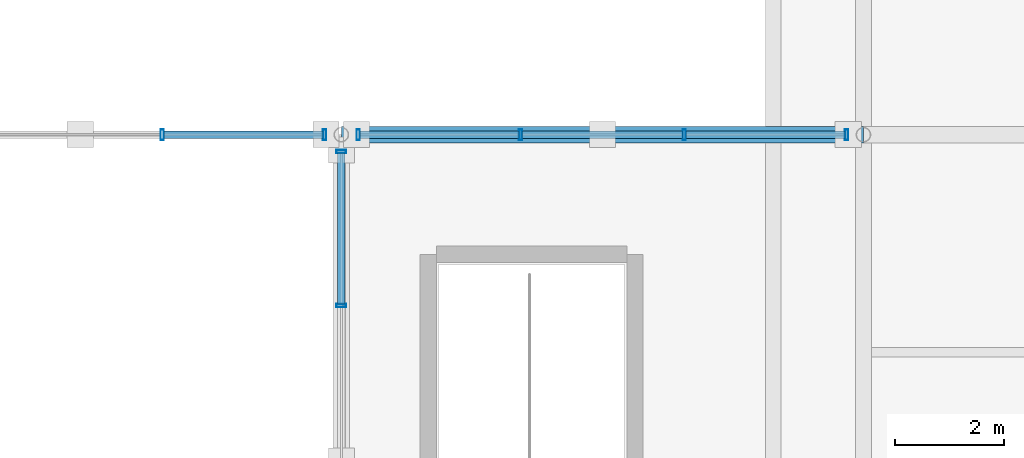
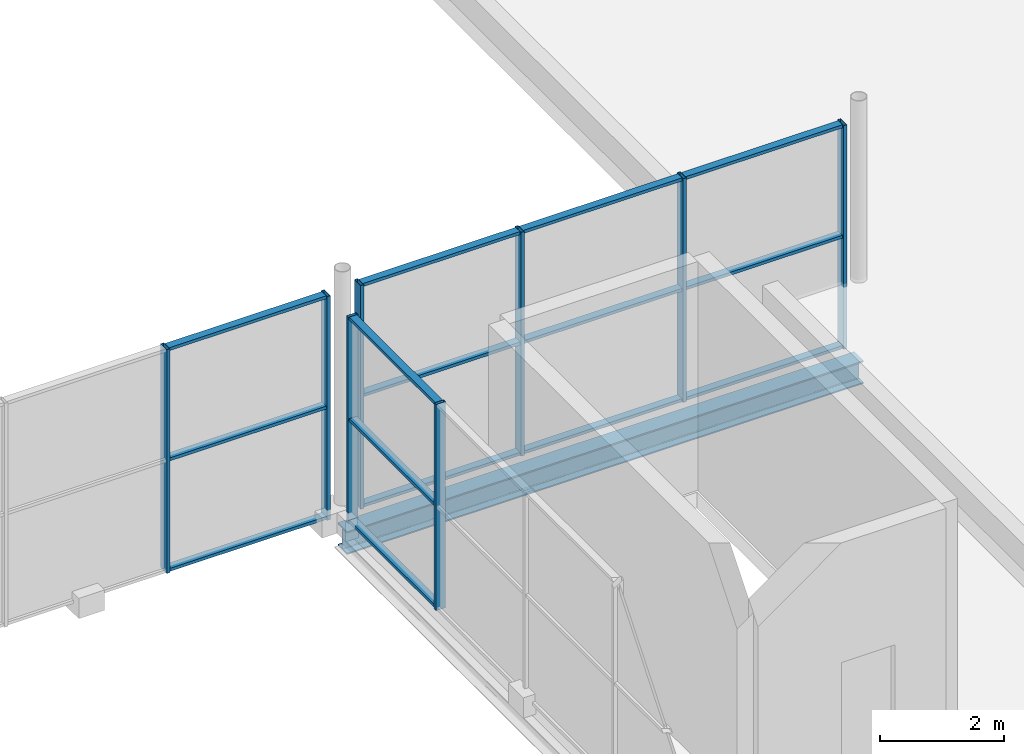
# One storey, part 95 of 159: 23 members, 1 beam, 3 elements without a shape of their own.
"""IFC4 building model written with IfcOpenShell, lengths in metres."""

from ifc_helpers import new_model, si_unit, direction, frame, origin, origin_2d, place, context, subcontext, project, spatial, hollow_rectangle, i_section, extrude, material, material_profile, profile_set, type_object, element, aggregate, save


model = new_model("IFC4")

# Units and contexts
model_context = context("Model", 3, precision=1e-05, world=origin(), true_north=direction((0.0, 1.0)))
body_context = subcontext(model_context, "Body", "Model", "MODEL_VIEW")
ifc_project = project(units=[si_unit("LENGTHUNIT", "METRE"), si_unit("AREAUNIT", "SQUARE_METRE"), si_unit("VOLUMEUNIT", "CUBIC_METRE"), si_unit("PLANEANGLEUNIT", "RADIAN"), si_unit("MASSUNIT", "GRAM", prefix="KILO")], contexts=[model_context])

# Site, building, storey
site_placement = place(None, origin())
site = spatial("IfcSite", under=ifc_project, at=site_placement, CompositionType="ELEMENT")
building_placement = place(site_placement, origin())
building = spatial("IfcBuilding", under=site, at=building_placement, Name="Merenkruunu Market Hall", CompositionType="ELEMENT")
storey_placement = place(building_placement, frame((0.0, 0.0, 5.39990234375)))
storey = spatial("IfcBuildingStorey", under=building, at=storey_placement, Name="L01", CompositionType="ELEMENT", Elevation=5.39990234375)

# Curtain wall, members
ifc_material_1 = material(Name="Powder-coated aluminium", Category="aluminium")
curtain_wall_type_1 = type_object("IfcCurtainWallType", Name="Glazed Curtain Wall CW16", PredefinedType="USERDEFINED", material=ifc_material_1)
curtain_wall_1_placement = place(storey_placement, origin())
curtain_wall_1 = element("IfcCurtainWall", 1, at=curtain_wall_1_placement, inside=storey, type_object=curtain_wall_type_1, Name="CW-L01-CWM02-179", ObjectType="GLAZED_FACADE", PredefinedType="USERDEFINED")
ifc_material_profile_1 = material_profile(ifc_material_1, hollow_rectangle(XDim=0.06005859375, YDim=0.179931640625, WallThickness=0.00390625, at=origin_2d()), Name="ALU 60x180x4")
ifc_profile_set_1 = profile_set([ifc_material_profile_1], Name="Powder-coated aluminium")
member_type_1 = type_object("IfcMemberType", Name="Curtain Wall Mullion CWM02", PredefinedType="MULLION", material=ifc_profile_set_1)
member_1_placement = place(storey_placement, frame((67.199951171875, 96.4599609375, 0.0), z_axis=(0.0, 0.0, 1.0), x_axis=(0.0, 1.0, 0.0)))
member_1 = element("IfcMember", 2, at=member_1_placement, type_object=member_type_1, Name="CW16 mullion 4", PredefinedType="MULLION", context=body_context, shape_type="SweptSolid", body=[
    extrude(hollow_rectangle(XDim=0.06005859375, YDim=0.179931640625, WallThickness=0.00390625, at=origin_2d()), origin(), (0.0, 0.0, 1.0), 4.050048828125),
])
member_2_placement = place(storey_placement, frame((67.199951171875, 99.2900390625, 0.0), z_axis=(0.0, 0.0, 1.0), x_axis=(0.0, 1.0, 0.0)))
member_2 = element("IfcMember", 3, at=member_2_placement, type_object=member_type_1, Name="CW16 mullion 5", PredefinedType="MULLION", context=body_context, shape_type="SweptSolid", body=[
    extrude(hollow_rectangle(XDim=0.06005859375, YDim=0.179931640625, WallThickness=0.00390625, at=origin_2d()), origin(), (0.0, 0.0, 1.0), 4.050048828125),
])

curtain_wall_type_2 = type_object("IfcCurtainWallType", Name="Glazed Curtain Wall CW03", PredefinedType="USERDEFINED", material=ifc_material_1)
curtain_wall_2_placement = place(storey_placement, origin())
curtain_wall_2 = element("IfcCurtainWall", 4, at=curtain_wall_2_placement, inside=storey, type_object=curtain_wall_type_2, Name="CW-L01-CWM03-143", ObjectType="GLAZED_FACADE", PredefinedType="USERDEFINED")
ifc_material_profile_2 = material_profile(ifc_material_1, hollow_rectangle(XDim=0.06005859375, YDim=0.199951171875, WallThickness=0.0048828125, at=origin_2d()), Name="ALU 60x200x5")
ifc_profile_set_2 = profile_set([ifc_material_profile_2], Name="Powder-coated aluminium")
member_type_2 = type_object("IfcMemberType", Name="Curtain Wall Mullion CWM03", PredefinedType="MULLION", material=ifc_profile_set_2)
member_3_placement = place(storey_placement, frame((63.90673828125, 99.60009765625, 0.0), z_axis=(0.0, 0.0, 1.0), x_axis=(1.0, 0.0, 0.0)))
member_3 = element("IfcMember", 5, at=member_3_placement, type_object=member_type_2, Name="CW03 mullion 3", PredefinedType="MULLION", context=body_context, shape_type="SweptSolid", body=[
    extrude(hollow_rectangle(XDim=0.06005859375, YDim=0.199951171875, WallThickness=0.0048828125, at=origin_2d()), origin(), (0.0, 0.0, 1.0), 4.400146484375),
])
member_4_placement = place(storey_placement, frame((66.889892578125, 99.60009765625, 0.0), z_axis=(0.0, 0.0, 1.0), x_axis=(1.0, 0.0, 0.0)))
member_4 = element("IfcMember", 6, at=member_4_placement, type_object=member_type_2, Name="CW03 mullion 4", PredefinedType="MULLION", context=body_context, shape_type="SweptSolid", body=[
    extrude(hollow_rectangle(XDim=0.06005859375, YDim=0.199951171875, WallThickness=0.0048828125, at=origin_2d()), origin(), (0.0, 0.0, 1.0), 4.400146484375),
])

curtain_wall_3_placement = place(storey_placement, origin())
curtain_wall_3 = element("IfcCurtainWall", 7, at=curtain_wall_3_placement, inside=storey, type_object=curtain_wall_type_2, Name="CW-L01-CWM03-149", ObjectType="GLAZED_FACADE", PredefinedType="USERDEFINED")
member_5_placement = place(storey_placement, frame((67.510009765625, 99.60009765625, 0.0), z_axis=(0.0, 0.0, 1.0), x_axis=(1.0, 0.0, 0.0)))
member_5 = element("IfcMember", 8, at=member_5_placement, type_object=member_type_2, Name="CW03 mullion 1", PredefinedType="MULLION", context=body_context, shape_type="SweptSolid", body=[
    extrude(hollow_rectangle(XDim=0.06005859375, YDim=0.199951171875, WallThickness=0.0048828125, at=origin_2d()), origin(), (0.0, 0.0, 1.0), 4.400146484375),
])
member_6_placement = place(storey_placement, frame((70.493408203125, 99.60009765625, 0.0), z_axis=(0.0, 0.0, 1.0), x_axis=(1.0, 0.0, 0.0)))
member_6 = element("IfcMember", 9, at=member_6_placement, type_object=member_type_2, Name="CW03 mullion 2", PredefinedType="MULLION", context=body_context, shape_type="SweptSolid", body=[
    extrude(hollow_rectangle(XDim=0.06005859375, YDim=0.199951171875, WallThickness=0.0048828125, at=origin_2d()), origin(), (0.0, 0.0, 1.0), 4.400146484375),
])
member_7_placement = place(storey_placement, frame((73.506591796875, 99.60009765625, 0.0), z_axis=(0.0, 0.0, 1.0), x_axis=(1.0, 0.0, 0.0)))
member_7 = element("IfcMember", 10, at=member_7_placement, type_object=member_type_2, Name="CW03 mullion 3", PredefinedType="MULLION", context=body_context, shape_type="SweptSolid", body=[
    extrude(hollow_rectangle(XDim=0.06005859375, YDim=0.199951171875, WallThickness=0.0048828125, at=origin_2d()), origin(), (0.0, 0.0, 1.0), 4.400146484375),
])
member_8_placement = place(storey_placement, frame((76.489990234375, 99.60009765625, 0.0), z_axis=(0.0, 0.0, 1.0), x_axis=(1.0, 0.0, 0.0)))
member_8 = element("IfcMember", 11, at=member_8_placement, type_object=member_type_2, Name="CW03 mullion 4", PredefinedType="MULLION", context=body_context, shape_type="SweptSolid", body=[
    extrude(hollow_rectangle(XDim=0.06005859375, YDim=0.199951171875, WallThickness=0.0048828125, at=origin_2d()), origin(), (0.0, 0.0, 1.0), 4.400146484375),
])

# Member
ifc_material_profile_3 = material_profile(ifc_material_1, hollow_rectangle(XDim=0.06005859375, YDim=0.139892578125, WallThickness=0.00390625, at=origin_2d()), Name="ALU 60x140x4")
ifc_profile_set_3 = profile_set([ifc_material_profile_3], Name="Powder-coated aluminium")
member_type_3 = type_object("IfcMemberType", Name="Curtain Wall Transom CWT02", PredefinedType="USERDEFINED", material=ifc_profile_set_3)
member_9_placement = place(storey_placement, frame((63.936767578125, 99.60009765625, 0.030029296875), z_axis=(1.0, 0.0, 0.0), x_axis=(0.0, 0.0, 1.0)))
member_9 = element("IfcMember", 12, at=member_9_placement, type_object=member_type_3, Name="CW03 transom 3.1", ObjectType="TRANSOM", PredefinedType="USERDEFINED", context=body_context, shape_type="SweptSolid", body=[
    extrude(hollow_rectangle(XDim=0.06005859375, YDim=0.139892578125, WallThickness=0.00390625, at=origin_2d()), origin(), (0.0, 0.0, 1.0), 2.92333984375),
])

member_10_placement = place(storey_placement, frame((63.936767578125, 99.60009765625, 2.2001953125), z_axis=(1.0, 0.0, 0.0), x_axis=(0.0, 0.0, 1.0)))
member_10 = element("IfcMember", 13, at=member_10_placement, type_object=member_type_3, Name="CW03 transom 3.2", ObjectType="TRANSOM", PredefinedType="USERDEFINED", context=body_context, shape_type="SweptSolid", body=[
    extrude(hollow_rectangle(XDim=0.06005859375, YDim=0.139892578125, WallThickness=0.00390625, at=origin_2d()), origin(), (0.0, 0.0, 1.0), 2.92333984375),
])

member_11_placement = place(storey_placement, frame((63.936767578125, 99.60009765625, 4.3701171875), z_axis=(1.0, 0.0, 0.0), x_axis=(0.0, 0.0, 1.0)))
member_11 = element("IfcMember", 14, at=member_11_placement, type_object=member_type_3, Name="CW03 transom 3.3", ObjectType="TRANSOM", PredefinedType="USERDEFINED", context=body_context, shape_type="SweptSolid", body=[
    extrude(hollow_rectangle(XDim=0.06005859375, YDim=0.139892578125, WallThickness=0.00390625, at=origin_2d()), origin(), (0.0, 0.0, 1.0), 2.92333984375),
])

aggregate(curtain_wall_2, [member_3, member_4, member_9, member_10, member_11])

member_12_placement = place(storey_placement, frame((67.5400390625, 99.60009765625, 0.030029296875), z_axis=(1.0, 0.0, 0.0), x_axis=(0.0, 0.0, 1.0)))
member_12 = element("IfcMember", 15, at=member_12_placement, type_object=member_type_3, Name="CW03 transom 1.1", ObjectType="TRANSOM", PredefinedType="USERDEFINED", context=body_context, shape_type="SweptSolid", body=[
    extrude(hollow_rectangle(XDim=0.06005859375, YDim=0.139892578125, WallThickness=0.00390625, at=origin_2d()), origin(), (0.0, 0.0, 1.0), 2.92333984375),
])

member_13_placement = place(storey_placement, frame((67.5400390625, 99.60009765625, 2.2001953125), z_axis=(1.0, 0.0, 0.0), x_axis=(0.0, 0.0, 1.0)))
member_13 = element("IfcMember", 16, at=member_13_placement, type_object=member_type_3, Name="CW03 transom 1.2", ObjectType="TRANSOM", PredefinedType="USERDEFINED", context=body_context, shape_type="SweptSolid", body=[
    extrude(hollow_rectangle(XDim=0.06005859375, YDim=0.139892578125, WallThickness=0.00390625, at=origin_2d()), origin(), (0.0, 0.0, 1.0), 2.92333984375),
])

member_14_placement = place(storey_placement, frame((67.5400390625, 99.60009765625, 4.3701171875), z_axis=(1.0, 0.0, 0.0), x_axis=(0.0, 0.0, 1.0)))
member_14 = element("IfcMember", 17, at=member_14_placement, type_object=member_type_3, Name="CW03 transom 1.3", ObjectType="TRANSOM", PredefinedType="USERDEFINED", context=body_context, shape_type="SweptSolid", body=[
    extrude(hollow_rectangle(XDim=0.06005859375, YDim=0.139892578125, WallThickness=0.00390625, at=origin_2d()), origin(), (0.0, 0.0, 1.0), 2.92333984375),
])

member_15_placement = place(storey_placement, frame((70.5234375, 99.60009765625, 0.030029296875), z_axis=(1.0, 0.0, 0.0), x_axis=(0.0, 0.0, 1.0)))
member_15 = element("IfcMember", 18, at=member_15_placement, type_object=member_type_3, Name="CW03 transom 2.1", ObjectType="TRANSOM", PredefinedType="USERDEFINED", context=body_context, shape_type="SweptSolid", body=[
    extrude(hollow_rectangle(XDim=0.06005859375, YDim=0.139892578125, WallThickness=0.00390625, at=origin_2d()), origin(), (0.0, 0.0, 1.0), 2.953125),
])

member_16_placement = place(storey_placement, frame((70.5234375, 99.60009765625, 2.2001953125), z_axis=(1.0, 0.0, 0.0), x_axis=(0.0, 0.0, 1.0)))
member_16 = element("IfcMember", 19, at=member_16_placement, type_object=member_type_3, Name="CW03 transom 2.2", ObjectType="TRANSOM", PredefinedType="USERDEFINED", context=body_context, shape_type="SweptSolid", body=[
    extrude(hollow_rectangle(XDim=0.06005859375, YDim=0.139892578125, WallThickness=0.00390625, at=origin_2d()), origin(), (0.0, 0.0, 1.0), 2.953125),
])

member_17_placement = place(storey_placement, frame((70.5234375, 99.60009765625, 4.3701171875), z_axis=(1.0, 0.0, 0.0), x_axis=(0.0, 0.0, 1.0)))
member_17 = element("IfcMember", 20, at=member_17_placement, type_object=member_type_3, Name="CW03 transom 2.3", ObjectType="TRANSOM", PredefinedType="USERDEFINED", context=body_context, shape_type="SweptSolid", body=[
    extrude(hollow_rectangle(XDim=0.06005859375, YDim=0.139892578125, WallThickness=0.00390625, at=origin_2d()), origin(), (0.0, 0.0, 1.0), 2.953125),
])

member_18_placement = place(storey_placement, frame((73.53662109375, 99.60009765625, 0.030029296875), z_axis=(1.0, 0.0, 0.0), x_axis=(0.0, 0.0, 1.0)))
member_18 = element("IfcMember", 21, at=member_18_placement, type_object=member_type_3, Name="CW03 transom 3.1", ObjectType="TRANSOM", PredefinedType="USERDEFINED", context=body_context, shape_type="SweptSolid", body=[
    extrude(hollow_rectangle(XDim=0.06005859375, YDim=0.139892578125, WallThickness=0.00390625, at=origin_2d()), origin(), (0.0, 0.0, 1.0), 2.92333984375),
])

member_19_placement = place(storey_placement, frame((73.53662109375, 99.60009765625, 2.2001953125), z_axis=(1.0, 0.0, 0.0), x_axis=(0.0, 0.0, 1.0)))
member_19 = element("IfcMember", 22, at=member_19_placement, type_object=member_type_3, Name="CW03 transom 3.2", ObjectType="TRANSOM", PredefinedType="USERDEFINED", context=body_context, shape_type="SweptSolid", body=[
    extrude(hollow_rectangle(XDim=0.06005859375, YDim=0.139892578125, WallThickness=0.00390625, at=origin_2d()), origin(), (0.0, 0.0, 1.0), 2.92333984375),
])

member_20_placement = place(storey_placement, frame((73.53662109375, 99.60009765625, 4.3701171875), z_axis=(1.0, 0.0, 0.0), x_axis=(0.0, 0.0, 1.0)))
member_20 = element("IfcMember", 23, at=member_20_placement, type_object=member_type_3, Name="CW03 transom 3.3", ObjectType="TRANSOM", PredefinedType="USERDEFINED", context=body_context, shape_type="SweptSolid", body=[
    extrude(hollow_rectangle(XDim=0.06005859375, YDim=0.139892578125, WallThickness=0.00390625, at=origin_2d()), origin(), (0.0, 0.0, 1.0), 2.92333984375),
])

aggregate(curtain_wall_3, [member_5, member_6, member_7, member_8, member_12, member_13, member_14, member_15, member_16, member_17, member_18, member_19, member_20])

member_21_placement = place(storey_placement, frame((67.199951171875, 96.489990234375, 0.030029296875), z_axis=(0.0, 1.0, 0.0), x_axis=(0.0, 0.0, 1.0)))
member_21 = element("IfcMember", 24, at=member_21_placement, type_object=member_type_3, Name="CW16 transom 4.1", ObjectType="TRANSOM", PredefinedType="USERDEFINED", context=body_context, shape_type="SweptSolid", body=[
    extrude(hollow_rectangle(XDim=0.06005859375, YDim=0.139892578125, WallThickness=0.00390625, at=origin_2d()), origin(), (0.0, 0.0, 1.0), 2.77001953125),
])

member_22_placement = place(storey_placement, frame((67.199951171875, 96.489990234375, 2.025146484375), z_axis=(0.0, 1.0, 0.0), x_axis=(0.0, 0.0, 1.0)))
member_22 = element("IfcMember", 25, at=member_22_placement, type_object=member_type_3, Name="CW16 transom 4.2", ObjectType="TRANSOM", PredefinedType="USERDEFINED", context=body_context, shape_type="SweptSolid", body=[
    extrude(hollow_rectangle(XDim=0.06005859375, YDim=0.139892578125, WallThickness=0.00390625, at=origin_2d()), origin(), (0.0, 0.0, 1.0), 2.77001953125),
])

member_23_placement = place(storey_placement, frame((67.199951171875, 96.489990234375, 4.02001953125), z_axis=(0.0, 1.0, 0.0), x_axis=(0.0, 0.0, 1.0)))
member_23 = element("IfcMember", 26, at=member_23_placement, type_object=member_type_3, Name="CW16 transom 4.3", ObjectType="TRANSOM", PredefinedType="USERDEFINED", context=body_context, shape_type="SweptSolid", body=[
    extrude(hollow_rectangle(XDim=0.06005859375, YDim=0.139892578125, WallThickness=0.00390625, at=origin_2d()), origin(), (0.0, 0.0, 1.0), 2.77001953125),
])

aggregate(curtain_wall_1, [member_1, member_2, member_21, member_22, member_23])

# Beam
ifc_material_2 = material(Name="Steel S355J2", Category="steel")
ifc_material_profile_4 = material_profile(ifc_material_2, i_section(OverallWidth=0.300048828125, OverallDepth=0.449951171875, WebThickness=0.013916015625, FlangeThickness=0.02587890625, FilletRadius=0.027099609375, at=origin_2d()), Name="HEB 450")
ifc_profile_set_4 = profile_set([ifc_material_profile_4], Name="Steel S355J2")
beam_type = type_object("IfcBeamType", Name="Primary Floor Girder B03", PredefinedType="BEAM", material=ifc_profile_set_4)
beam_placement = place(storey_placement, frame((67.199951171875, 99.60009765625, -0.534912109375), z_axis=(1.0, 0.0, 0.0), x_axis=(0.0, 1.0, 0.0)))
element("IfcBeam", 27, at=beam_placement, inside=storey, type_object=beam_type, Name="BM-L01-B03-0545", PredefinedType="BEAM", context=body_context, shape_type="SweptSolid", body=[
    extrude(i_section(OverallWidth=0.300048828125, OverallDepth=0.449951171875, WebThickness=0.013916015625, FlangeThickness=0.02587890625, FilletRadius=0.027099609375, at=origin_2d()), origin(), (0.0, 0.0, 1.0), 9.60009765625),
])

save(model, "model.ifc")
